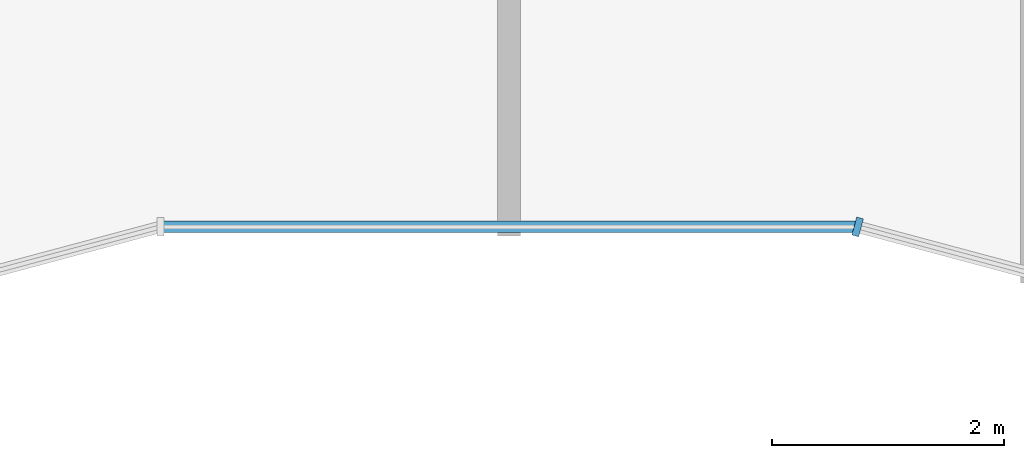
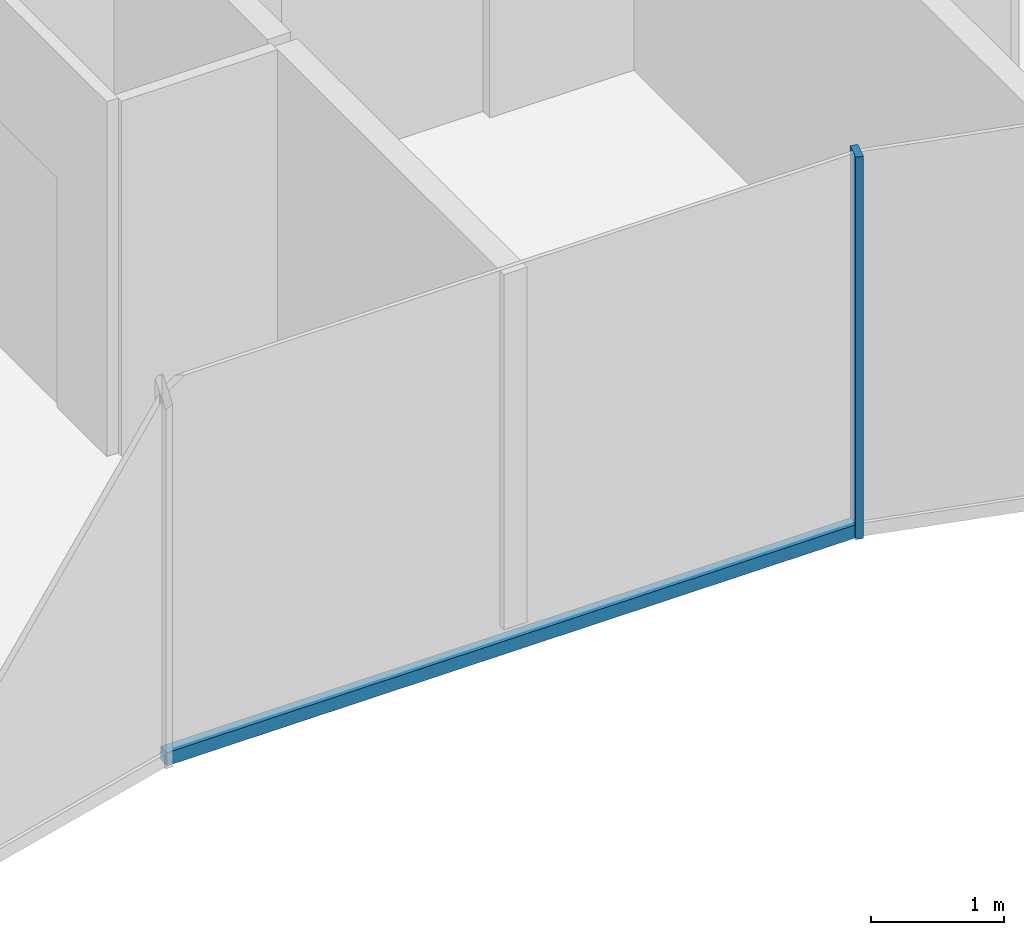
# One storey, part 3 of 10: 2 members, 2 elements without a shape of their own.
"""IFC4 building model written with IfcOpenShell, lengths in metres."""

from ifc_helpers import new_model, si_unit, direction, frame, origin, origin_2d, place, context, subcontext, project, spatial, rectangle, extrude, material, layer, layer_set, material_profile, profile_set, type_object, element, aggregate, save


model = new_model("IFC4")

# Units and contexts
model_context = context("Model", 3, precision=1e-05, world=origin(), true_north=direction((0.0, 1.0)))
body_context = subcontext(model_context, "Body", "Model", "MODEL_VIEW")
ifc_project = project(units=[si_unit("LENGTHUNIT", "METRE"), si_unit("AREAUNIT", "SQUARE_METRE"), si_unit("VOLUMEUNIT", "CUBIC_METRE"), si_unit("PLANEANGLEUNIT", "RADIAN"), si_unit("MASSUNIT", "GRAM", prefix="KILO")], contexts=[model_context])

# Site, building, storey
site_placement = place(None, origin())
site = spatial("IfcSite", under=ifc_project, at=site_placement, CompositionType="ELEMENT")
building_placement = place(site_placement, origin())
building = spatial("IfcBuilding", under=site, at=building_placement, Name="Plateau Cross Towers", CompositionType="ELEMENT")
storey_placement = place(building_placement, frame((0.0, 0.0, 249.39990234375)))
storey = spatial("IfcBuildingStorey", under=building, at=storey_placement, Name="L65", CompositionType="ELEMENT", Elevation=249.39990234375)

# Curtain wall, member
ifc_material_1 = material(Name="Dark low-iron glass", Category="glass")
ifc_layer = layer(ifc_material_1, 0.260009765625)
ifc_layer_set = layer_set([ifc_layer], Name="Dark low-iron glass")
curtain_wall_type = type_object("IfcCurtainWallType", Name="Curtain wall fluted unitised CW-A", PredefinedType="NOTDEFINED", material=ifc_layer_set)
curtain_wall_1_placement = place(storey_placement, origin())
curtain_wall_1 = element("IfcCurtainWall", 1, at=curtain_wall_1_placement, inside=storey, type_object=curtain_wall_type, Name="ENV/A/L65/A300_16", PredefinedType="NOTDEFINED")
ifc_material_2 = material(Name="Black anodised aluminium", Category="aluminium")
ifc_material_profile_1 = material_profile(ifc_material_2, rectangle(XDim=0.06005859375, YDim=0.159912109375, at=origin_2d()), Name="MULLION 60x160")
ifc_profile_set_1 = profile_set([ifc_material_profile_1], Name="Black anodised aluminium")
member_type_1 = type_object("IfcMemberType", Name="Mullion 60x160 fluted unitised", PredefinedType="MULLION", material=ifc_profile_set_1)
member_1_placement = place(storey_placement, frame((30.0, 1.60693359375, -0.25), z_axis=(0.0, 0.0, 1.0), x_axis=(0.965957983404, -0.258699003279, 0.0)))
member_1 = element("IfcMember", 2, at=member_1_placement, type_object=member_type_1, Name="CW-A mullion 1", PredefinedType="MULLION", context=body_context, shape_type="SweptSolid", body=[
    extrude(rectangle(XDim=0.06005859375, YDim=0.159912109375, at=origin_2d()), origin(), (0.0, 0.0, 1.0), 3.5),
])
aggregate(curtain_wall_1, [member_1])

curtain_wall_2_placement = place(storey_placement, origin())
curtain_wall_2 = element("IfcCurtainWall", 3, at=curtain_wall_2_placement, inside=storey, type_object=curtain_wall_type, Name="ENV/A/L65/A240_16", PredefinedType="NOTDEFINED")
ifc_material_profile_2 = material_profile(ifc_material_2, rectangle(XDim=0.10009765625, YDim=0.1201171875, at=origin_2d()), Name="TRANSOM 100x120")
ifc_profile_set_2 = profile_set([ifc_material_profile_2], Name="Black anodised aluminium")
member_type_2 = type_object("IfcMemberType", Name="Transom 100x120 fluted unitised", PredefinedType="USERDEFINED", material=ifc_profile_set_2)
member_2_placement = place(storey_placement, frame((24.0, 1.60693359375, -0.18994140625), z_axis=(1.0, 0.0, 0.0), x_axis=(0.0, 1.0, 0.0)))
member_2 = element("IfcMember", 4, at=member_2_placement, type_object=member_type_2, Name="CW-A transom", ObjectType="TRANSOM", PredefinedType="USERDEFINED", context=body_context, shape_type="SweptSolid", body=[
    extrude(rectangle(XDim=0.10009765625, YDim=0.1201171875, at=origin_2d()), origin(), (0.0, 0.0, 1.0), 6.0),
])
aggregate(curtain_wall_2, [member_2])

save(model, "model.ifc")
